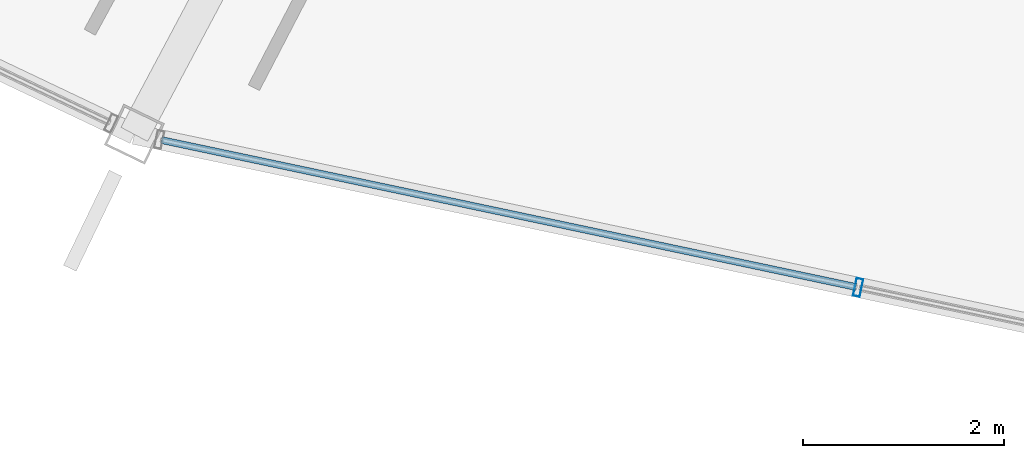
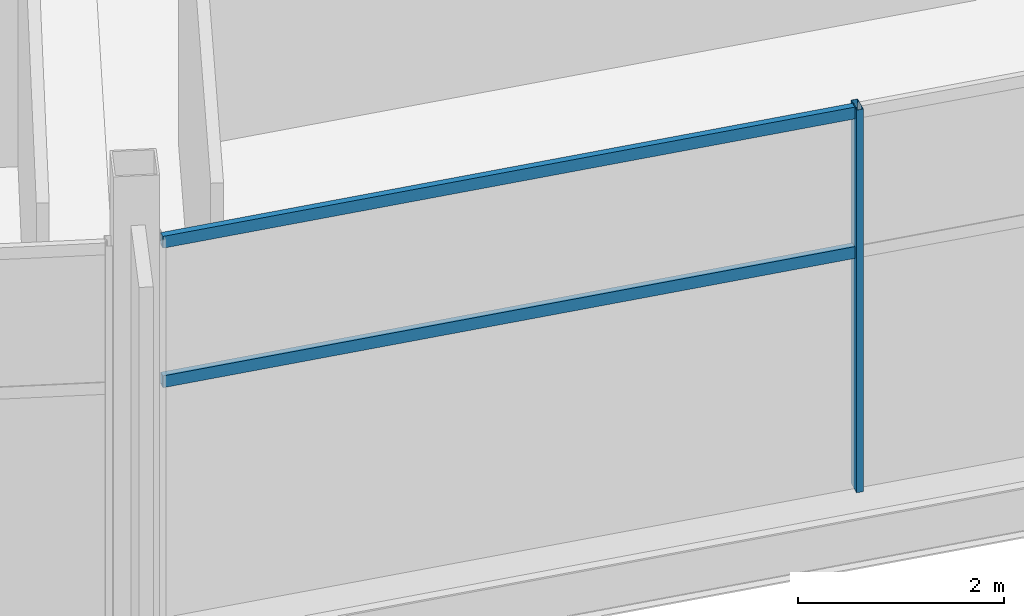
# One storey, part 17 of 186: 3 members, 1 element without a shape of its own.
"""IFC4 building model written with IfcOpenShell, lengths in metres."""

from ifc_helpers import new_model, si_unit, direction, frame, origin, origin_2d, place, context, subcontext, project, spatial, hollow_rectangle, extrude, material, layer, layer_set, material_profile, profile_set, type_object, element, aggregate, save


model = new_model("IFC4")

# Units and contexts
model_context = context("Model", 3, precision=1e-05, world=origin(), true_north=direction((0.0, 1.0)))
body_context = subcontext(model_context, "Body", "Model", "MODEL_VIEW")
ifc_project = project(units=[si_unit("LENGTHUNIT", "METRE"), si_unit("AREAUNIT", "SQUARE_METRE"), si_unit("VOLUMEUNIT", "CUBIC_METRE"), si_unit("PLANEANGLEUNIT", "RADIAN"), si_unit("MASSUNIT", "GRAM", prefix="KILO")], contexts=[model_context])

# Site, building, storey
site_placement = place(None, origin())
site = spatial("IfcSite", under=ifc_project, at=site_placement, CompositionType="ELEMENT")
building_placement = place(site_placement, origin())
building = spatial("IfcBuilding", under=site, at=building_placement, Name="Kazemori Nagisa Stadium", CompositionType="ELEMENT")
storey_placement = place(building_placement, frame((0.0, 0.0, 20.39990234375)))
storey = spatial("IfcBuildingStorey", under=building, at=storey_placement, Name="L04", CompositionType="ELEMENT", Elevation=20.39990234375)

# Curtain wall, members
ifc_material_1 = material(Name="Anodised aluminium 6063-T5", Category="aluminium")
ifc_layer = layer(ifc_material_1, 0.179931640625, Name="Anodised aluminium 6063-T5", Category="aluminium")
ifc_layer_set = layer_set([ifc_layer], Name="Anodised aluminium 6063-T5")
curtain_wall_type = type_object("IfcCurtainWallType", Name="CW_L04R3_107", PredefinedType="USERDEFINED", material=ifc_layer_set)
curtain_wall_placement = place(storey_placement, origin())
curtain_wall = element("IfcCurtainWall", 1, at=curtain_wall_placement, inside=storey, type_object=curtain_wall_type, Name="Unitised curtain wall CW-L04R3-107 L04", ObjectType="UNITISED CURTAIN WALL", PredefinedType="USERDEFINED")
ifc_material_2 = material(Name="Aluminium 6063-T5 anodised", Category="aluminium")
ifc_material_profile_1 = material_profile(ifc_material_2, hollow_rectangle(XDim=0.070068359375, YDim=0.179931640625, WallThickness=0.00390625, at=origin_2d()), Name="ALU-MULL-70x180x4")
ifc_profile_set_1 = profile_set([ifc_material_profile_1], Name="Aluminium 6063-T5 anodised")
member_type_1 = type_object("IfcMemberType", Name="Mullion_M01", PredefinedType="MULLION", material=ifc_profile_set_1)
member_1_placement = place(storey_placement, frame((87.404052734375, 20.0107421875, 0.0), z_axis=(0.0, 0.0, 1.0), x_axis=(0.978344955407, -0.206981033502, 0.0)))
member_1 = element("IfcMember", 2, at=member_1_placement, type_object=member_type_1, Name="Curtain wall mullion CW-L04R3-107-M2", PredefinedType="MULLION", context=body_context, shape_type="SweptSolid", body=[
    extrude(hollow_rectangle(XDim=0.070068359375, YDim=0.179931640625, WallThickness=0.00390625, at=origin_2d()), origin(), (0.0, 0.0, 1.0), 4.530029296875),
])
ifc_material_profile_2 = material_profile(ifc_material_2, hollow_rectangle(XDim=0.070068359375, YDim=0.139892578125, WallThickness=0.00390625, at=origin_2d()), Name="ALU-TRAN-70x140x4")
ifc_profile_set_2 = profile_set([ifc_material_profile_2], Name="Aluminium 6063-T5 anodised")
member_type_2 = type_object("IfcMemberType", Name="Transom_T01", PredefinedType="USERDEFINED", material=ifc_profile_set_2)
member_2_placement = place(storey_placement, frame((80.46435546875, 21.478759765625, 2.80859375), z_axis=(0.97834311718, -0.206989722128, 0.0), x_axis=(0.206989722128, 0.97834311718, 0.0)))
member_2 = element("IfcMember", 3, at=member_2_placement, type_object=member_type_2, Name="Curtain wall transom CW-L04R3-107-T1-mid", ObjectType="TRANSOM", PredefinedType="USERDEFINED", context=body_context, shape_type="SweptSolid", body=[
    extrude(hollow_rectangle(XDim=0.070068359375, YDim=0.139892578125, WallThickness=0.00390625, at=origin_2d()), origin(), (0.0, 0.0, 1.0), 7.0732421875),
])
member_3_placement = place(storey_placement, frame((80.46435546875, 21.478759765625, 4.460205078125), z_axis=(0.97834311718, -0.206989722128, 0.0), x_axis=(0.206989722128, 0.97834311718, 0.0)))
member_3 = element("IfcMember", 4, at=member_3_placement, type_object=member_type_2, Name="Curtain wall transom CW-L04R3-107-T1-head", ObjectType="TRANSOM", PredefinedType="USERDEFINED", context=body_context, shape_type="SweptSolid", body=[
    extrude(hollow_rectangle(XDim=0.070068359375, YDim=0.139892578125, WallThickness=0.00390625, at=origin_2d()), origin(), (0.0, 0.0, 1.0), 7.0732421875),
])
aggregate(curtain_wall, [member_1, member_2, member_3])

save(model, "model.ifc")
